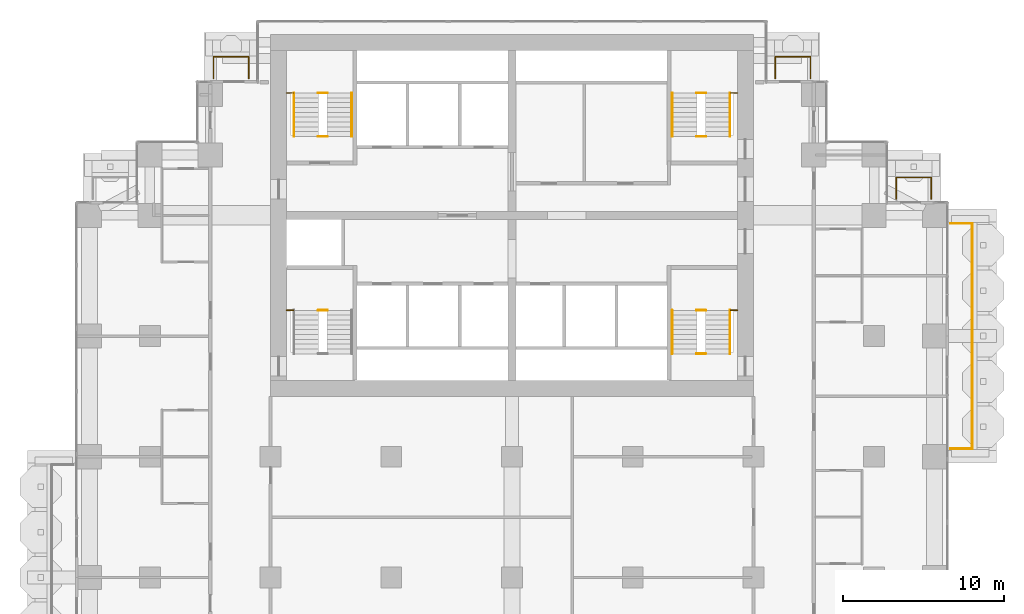
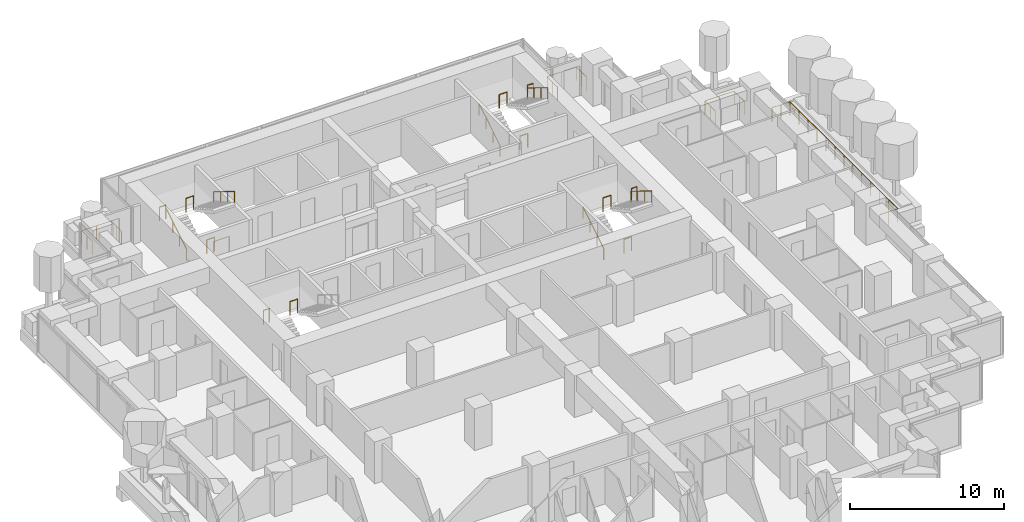
# One storey, part 19 of 20: 21 railings.
"""IFC4 building model written with IfcOpenShell, lengths in metres."""

from ifc_helpers import new_model, si_unit, direction, frame, origin, origin_2d, place, context, subcontext, project, spatial, circle, extrude, material, type_object, element, save


model = new_model("IFC4")

# Units and contexts
model_context = context("Model", 3, precision=1e-05, world=origin(), true_north=direction((0.0, 1.0)))
body_context = subcontext(model_context, "Body", "Model", "MODEL_VIEW")
ifc_project = project(units=[si_unit("LENGTHUNIT", "METRE"), si_unit("AREAUNIT", "SQUARE_METRE"), si_unit("VOLUMEUNIT", "CUBIC_METRE"), si_unit("PLANEANGLEUNIT", "RADIAN"), si_unit("MASSUNIT", "GRAM", prefix="KILO")], contexts=[model_context])

# Site, building, storey
site_placement = place(None, origin())
site = spatial("IfcSite", under=ifc_project, at=site_placement, CompositionType="ELEMENT")
building_placement = place(site_placement, origin())
building = spatial("IfcBuilding", under=site, at=building_placement, Name="Pilkhan Gate Tower", CompositionType="ELEMENT")
storey_placement = place(building_placement, frame((0.0, 0.0, 98.89990234375)))
storey = spatial("IfcBuildingStorey", under=building, at=storey_placement, Name="L24", CompositionType="ELEMENT", Elevation=98.89990234375)

# Railings
ifc_material_1 = material(Name="Pale anodised aluminium posts, laminated glass infill", Category="aluminium")
railing_type_1 = type_object("IfcRailingType", Name="Balcony guard G1", PredefinedType="BALUSTRADE", material=ifc_material_1)
railing_1_placement = place(storey_placement, frame((102.25, 68.0, 0.0)))
element("IfcRailing", 1, at=railing_1_placement, inside=storey, type_object=railing_type_1, Name="Balcony guard L24 E", PredefinedType="BALUSTRADE", context=body_context, shape_type="SweptSolid", body=[
    extrude(circle(Radius=0.02392578125, at=origin_2d()), frame((0.0, 0.0, 1.076171875), z_axis=(1.0, 0.0, 0.0), x_axis=(0.0, 1.0, 0.0)), (0.0, 0.0, 1.0), 1.35009765625),
    extrude(circle(Radius=0.02392578125, at=origin_2d()), frame((1.35009765625, 0.0, 1.076171875), z_axis=(0.0, 1.0, 0.0), x_axis=(-1.0, 0.0, 0.0)), (0.0, 0.0, 1.0), 14.0),
    extrude(circle(Radius=0.02392578125, at=origin_2d()), frame((1.35009765625, 14.0, 1.076171875), z_axis=(-1.0, 0.0, 0.0), x_axis=(0.0, -1.0, 0.0)), (0.0, 0.0, 1.0), 1.35009765625),
    extrude(circle(Radius=0.02099609375, at=origin_2d()), origin(), (0.0, 0.0, 1.0), 1.052001953125),
    extrude(circle(Radius=0.02099609375, at=origin_2d()), frame((0.675048828125, 0.0, 0.0)), (0.0, 0.0, 1.0), 1.052001953125),
    extrude(circle(Radius=0.02099609375, at=origin_2d()), frame((1.35009765625, 0.0, 0.0)), (0.0, 0.0, 1.0), 1.052001953125),
    extrude(circle(Radius=0.02099609375, at=origin_2d()), frame((1.35009765625, 1.166748046875, 0.0)), (0.0, 0.0, 1.0), 1.052001953125),
    extrude(circle(Radius=0.02099609375, at=origin_2d()), frame((1.35009765625, 2.333251953125, 0.0)), (0.0, 0.0, 1.0), 1.052001953125),
    extrude(circle(Radius=0.02099609375, at=origin_2d()), frame((1.35009765625, 3.5, 0.0)), (0.0, 0.0, 1.0), 1.052001953125),
    extrude(circle(Radius=0.02099609375, at=origin_2d()), frame((1.35009765625, 4.666748046875, 0.0)), (0.0, 0.0, 1.0), 1.052001953125),
    extrude(circle(Radius=0.02099609375, at=origin_2d()), frame((1.35009765625, 5.833251953125, 0.0)), (0.0, 0.0, 1.0), 1.052001953125),
    extrude(circle(Radius=0.02099609375, at=origin_2d()), frame((1.35009765625, 7.0, 0.0)), (0.0, 0.0, 1.0), 1.052001953125),
    extrude(circle(Radius=0.02099609375, at=origin_2d()), frame((1.35009765625, 8.166748046875, 0.0)), (0.0, 0.0, 1.0), 1.052001953125),
    extrude(circle(Radius=0.02099609375, at=origin_2d()), frame((1.35009765625, 9.333251953125, 0.0)), (0.0, 0.0, 1.0), 1.052001953125),
    extrude(circle(Radius=0.02099609375, at=origin_2d()), frame((1.35009765625, 10.5, 0.0)), (0.0, 0.0, 1.0), 1.052001953125),
    extrude(circle(Radius=0.02099609375, at=origin_2d()), frame((1.35009765625, 11.666748046875, 0.0)), (0.0, 0.0, 1.0), 1.052001953125),
    extrude(circle(Radius=0.02099609375, at=origin_2d()), frame((1.35009765625, 12.833251953125, 0.0)), (0.0, 0.0, 1.0), 1.052001953125),
    extrude(circle(Radius=0.02099609375, at=origin_2d()), frame((1.35009765625, 14.0, 0.0)), (0.0, 0.0, 1.0), 1.052001953125),
    extrude(circle(Radius=0.02099609375, at=origin_2d()), frame((0.675048828125, 14.0, 0.0)), (0.0, 0.0, 1.0), 1.052001953125),
    extrude(circle(Radius=0.02099609375, at=origin_2d()), frame((0.0, 14.0, 0.0)), (0.0, 0.0, 1.0), 1.052001953125),
])
for number, where, name in (
    (2, (56.449951171875, 91.0, 0.0), "Balcony guard L24 N"),
    (3, (91.35009765625, 91.0, 0.0), "Balcony guard L24 N"),
):
    element("IfcRailing", number, at=place(storey_placement, frame(where)), inside=storey, type_object=railing_type_1, Name=name, PredefinedType="BALUSTRADE", context=body_context, shape_type="SweptSolid", body=[
        extrude(circle(Radius=0.02392578125, at=origin_2d()), frame((0.0, 0.0, 1.076171875), z_axis=(0.0, 1.0, 0.0), x_axis=(-1.0, 0.0, 0.0)), (0.0, 0.0, 1.0), 1.35009765625),
        extrude(circle(Radius=0.02392578125, at=origin_2d()), frame((0.0, 1.35009765625, 1.076171875), z_axis=(1.0, 0.0, 0.0), x_axis=(0.0, 1.0, 0.0)), (0.0, 0.0, 1.0), 2.199951171875),
        extrude(circle(Radius=0.02392578125, at=origin_2d()), frame((2.199951171875, 1.35009765625, 1.076171875), z_axis=(0.0, -1.0, 0.0), x_axis=(1.0, 0.0, 0.0)), (0.0, 0.0, 1.0), 1.35009765625),
        extrude(circle(Radius=0.02099609375, at=origin_2d()), origin(), (0.0, 0.0, 1.0), 1.052001953125),
        extrude(circle(Radius=0.02099609375, at=origin_2d()), frame((0.0, 0.675048828125, 0.0)), (0.0, 0.0, 1.0), 1.052001953125),
        extrude(circle(Radius=0.02099609375, at=origin_2d()), frame((0.0, 1.35009765625, 0.0)), (0.0, 0.0, 1.0), 1.052001953125),
        extrude(circle(Radius=0.02099609375, at=origin_2d()), frame((1.10009765625, 1.35009765625, 0.0)), (0.0, 0.0, 1.0), 1.052001953125),
        extrude(circle(Radius=0.02099609375, at=origin_2d()), frame((2.199951171875, 1.35009765625, 0.0)), (0.0, 0.0, 1.0), 1.052001953125),
        extrude(circle(Radius=0.02099609375, at=origin_2d()), frame((2.199951171875, 0.675048828125, 0.0)), (0.0, 0.0, 1.0), 1.052001953125),
        extrude(circle(Radius=0.02099609375, at=origin_2d()), frame((2.199951171875, 0.0, 0.0)), (0.0, 0.0, 1.0), 1.052001953125),
    ])
railing_2_placement = place(storey_placement, frame((98.8701171875, 83.52001953125, 0.0)))
element("IfcRailing", 4, at=railing_2_placement, inside=storey, type_object=railing_type_1, Name="Balcony guard L24 N", PredefinedType="BALUSTRADE", context=body_context, shape_type="SweptSolid", body=[
    extrude(circle(Radius=0.02392578125, at=origin_2d()), frame((0.0, 0.0, 1.076171875), z_axis=(0.0, 1.0, 0.0), x_axis=(-1.0, 0.0, 0.0)), (0.0, 0.0, 1.0), 1.330078125),
    extrude(circle(Radius=0.02392578125, at=origin_2d()), frame((0.0, 1.330078125, 1.076171875), z_axis=(1.0, 0.0, 0.0), x_axis=(0.0, 1.0, 0.0)), (0.0, 0.0, 1.0), 2.179931640625),
    extrude(circle(Radius=0.02392578125, at=origin_2d()), frame((2.179931640625, 1.330078125, 1.076171875), z_axis=(0.0, -1.0, 0.0), x_axis=(1.0, 0.0, 0.0)), (0.0, 0.0, 1.0), 1.330078125),
    extrude(circle(Radius=0.02099609375, at=origin_2d()), origin(), (0.0, 0.0, 1.0), 1.052001953125),
    extrude(circle(Radius=0.02099609375, at=origin_2d()), frame((0.0, 0.6650390625, 0.0)), (0.0, 0.0, 1.0), 1.052001953125),
    extrude(circle(Radius=0.02099609375, at=origin_2d()), frame((0.0, 1.330078125, 0.0)), (0.0, 0.0, 1.0), 1.052001953125),
    extrude(circle(Radius=0.02099609375, at=origin_2d()), frame((1.08984375, 1.330078125, 0.0)), (0.0, 0.0, 1.0), 1.052001953125),
    extrude(circle(Radius=0.02099609375, at=origin_2d()), frame((2.179931640625, 1.330078125, 0.0)), (0.0, 0.0, 1.0), 1.052001953125),
    extrude(circle(Radius=0.02099609375, at=origin_2d()), frame((2.179931640625, 0.6650390625, 0.0)), (0.0, 0.0, 1.0), 1.052001953125),
    extrude(circle(Radius=0.02099609375, at=origin_2d()), frame((2.179931640625, 0.0, 0.0)), (0.0, 0.0, 1.0), 1.052001953125),
])
ifc_material_2 = material(Name="Black powder-coated steel tube", Category="steel")
railing_type_2 = type_object("IfcRailingType", Name="Stair handrail HR1", PredefinedType="HANDRAIL", material=ifc_material_2)
railing_3_placement = place(storey_placement, frame((84.949951171875, 73.89990234375, 0.0)))
element("IfcRailing", 5, at=railing_3_placement, inside=storey, type_object=railing_type_2, Name="Stair ST1 handrail L24", PredefinedType="HANDRAIL", context=body_context, shape_type="SweptSolid", body=[
    extrude(circle(Radius=0.02392578125, at=origin_2d()), frame((0.0, 0.0, 0.8759765625), z_axis=(0.0, 0.853278019476, 0.521456250781), x_axis=(-1.0, 0.0, 0.0)), (0.0, 0.0, 1.0), 3.16455078125),
    extrude(circle(Radius=0.02099609375, at=origin_2d()), origin(), (0.0, 0.0, 1.0), 0.851806640625),
    extrude(circle(Radius=0.02099609375, at=origin_2d()), frame((0.0, 0.900146484375, 0.550048828125)), (0.0, 0.0, 1.0), 0.851806640625),
    extrude(circle(Radius=0.02099609375, at=origin_2d()), frame((0.0, 1.800048828125, 1.10009765625)), (0.0, 0.0, 1.0), 0.851806640625),
    extrude(circle(Radius=0.02099609375, at=origin_2d()), frame((0.0, 2.7001953125, 1.650146484375)), (0.0, 0.0, 1.0), 0.851806640625),
])
railing_4_placement = place(storey_placement, frame((88.550048828125, 76.60009765625, 1.650146484375)))
element("IfcRailing", 6, at=railing_4_placement, inside=storey, type_object=railing_type_2, Name="Stair ST1 handrail L24", PredefinedType="HANDRAIL", context=body_context, shape_type="SweptSolid", body=[
    extrude(circle(Radius=0.02392578125, at=origin_2d()), frame((0.0, 0.0, 0.8759765625), z_axis=(0.0, -0.853312346642, 0.521400075823), x_axis=(1.0, 0.0, 0.0)), (0.0, 0.0, 1.0), 3.164306640625),
    extrude(circle(Radius=0.02099609375, at=origin_2d()), origin(), (0.0, 0.0, 1.0), 0.851806640625),
    extrude(circle(Radius=0.02099609375, at=origin_2d()), frame((0.0, -0.900146484375, 0.550048828125)), (0.0, 0.0, 1.0), 0.851806640625),
    extrude(circle(Radius=0.02099609375, at=origin_2d()), frame((0.0, -1.800048828125, 1.099853515625)), (0.0, 0.0, 1.0), 0.851806640625),
    extrude(circle(Radius=0.02099609375, at=origin_2d()), frame((0.0, -2.7001953125, 1.64990234375)), (0.0, 0.0, 1.0), 0.851806640625),
])
railing_5_placement = place(storey_placement, frame((61.449951171875, 87.39990234375, 0.0)))
element("IfcRailing", 7, at=railing_5_placement, inside=storey, type_object=railing_type_2, Name="Stair ST3 handrail L24", PredefinedType="HANDRAIL", context=body_context, shape_type="SweptSolid", body=[
    extrude(circle(Radius=0.02392578125, at=origin_2d()), frame((0.0, 0.0, 0.8759765625), z_axis=(0.0, 0.853278019476, 0.521456250781), x_axis=(-1.0, 0.0, 0.0)), (0.0, 0.0, 1.0), 3.16455078125),
    extrude(circle(Radius=0.02099609375, at=origin_2d()), origin(), (0.0, 0.0, 1.0), 0.851806640625),
    extrude(circle(Radius=0.02099609375, at=origin_2d()), frame((0.0, 0.900146484375, 0.550048828125)), (0.0, 0.0, 1.0), 0.851806640625),
    extrude(circle(Radius=0.02099609375, at=origin_2d()), frame((0.0, 1.800048828125, 1.10009765625)), (0.0, 0.0, 1.0), 0.851806640625),
    extrude(circle(Radius=0.02099609375, at=origin_2d()), frame((0.0, 2.7001953125, 1.650146484375)), (0.0, 0.0, 1.0), 0.851806640625),
])
railing_6_placement = place(storey_placement, frame((65.050048828125, 90.10009765625, 1.650146484375)))
element("IfcRailing", 8, at=railing_6_placement, inside=storey, type_object=railing_type_2, Name="Stair ST3 handrail L24", PredefinedType="HANDRAIL", context=body_context, shape_type="SweptSolid", body=[
    extrude(circle(Radius=0.02392578125, at=origin_2d()), frame((0.0, 0.0, 0.8759765625), z_axis=(0.0, -0.853312346642, 0.521400075823), x_axis=(1.0, 0.0, 0.0)), (0.0, 0.0, 1.0), 3.164306640625),
    extrude(circle(Radius=0.02099609375, at=origin_2d()), origin(), (0.0, 0.0, 1.0), 0.851806640625),
    extrude(circle(Radius=0.02099609375, at=origin_2d()), frame((0.0, -0.900146484375, 0.550048828125)), (0.0, 0.0, 1.0), 0.851806640625),
    extrude(circle(Radius=0.02099609375, at=origin_2d()), frame((0.0, -1.800048828125, 1.099853515625)), (0.0, 0.0, 1.0), 0.851806640625),
    extrude(circle(Radius=0.02099609375, at=origin_2d()), frame((0.0, -2.7001953125, 1.64990234375)), (0.0, 0.0, 1.0), 0.851806640625),
])
railing_7_placement = place(storey_placement, frame((84.949951171875, 87.39990234375, 0.0)))
element("IfcRailing", 9, at=railing_7_placement, inside=storey, type_object=railing_type_2, Name="Stair ST4 handrail L24", PredefinedType="HANDRAIL", context=body_context, shape_type="SweptSolid", body=[
    extrude(circle(Radius=0.02392578125, at=origin_2d()), frame((0.0, 0.0, 0.8759765625), z_axis=(0.0, 0.853278019476, 0.521456250781), x_axis=(-1.0, 0.0, 0.0)), (0.0, 0.0, 1.0), 3.16455078125),
    extrude(circle(Radius=0.02099609375, at=origin_2d()), origin(), (0.0, 0.0, 1.0), 0.851806640625),
    extrude(circle(Radius=0.02099609375, at=origin_2d()), frame((0.0, 0.900146484375, 0.550048828125)), (0.0, 0.0, 1.0), 0.851806640625),
    extrude(circle(Radius=0.02099609375, at=origin_2d()), frame((0.0, 1.800048828125, 1.10009765625)), (0.0, 0.0, 1.0), 0.851806640625),
    extrude(circle(Radius=0.02099609375, at=origin_2d()), frame((0.0, 2.7001953125, 1.650146484375)), (0.0, 0.0, 1.0), 0.851806640625),
])
railing_8_placement = place(storey_placement, frame((88.550048828125, 90.10009765625, 1.650146484375)))
element("IfcRailing", 10, at=railing_8_placement, inside=storey, type_object=railing_type_2, Name="Stair ST4 handrail L24", PredefinedType="HANDRAIL", context=body_context, shape_type="SweptSolid", body=[
    extrude(circle(Radius=0.02392578125, at=origin_2d()), frame((0.0, 0.0, 0.8759765625), z_axis=(0.0, -0.853312346642, 0.521400075823), x_axis=(1.0, 0.0, 0.0)), (0.0, 0.0, 1.0), 3.164306640625),
    extrude(circle(Radius=0.02099609375, at=origin_2d()), origin(), (0.0, 0.0, 1.0), 0.851806640625),
    extrude(circle(Radius=0.02099609375, at=origin_2d()), frame((0.0, -0.900146484375, 0.550048828125)), (0.0, 0.0, 1.0), 0.851806640625),
    extrude(circle(Radius=0.02099609375, at=origin_2d()), frame((0.0, -1.800048828125, 1.099853515625)), (0.0, 0.0, 1.0), 0.851806640625),
    extrude(circle(Radius=0.02099609375, at=origin_2d()), frame((0.0, -2.7001953125, 1.64990234375)), (0.0, 0.0, 1.0), 0.851806640625),
])
ifc_material_3 = material(Name="Black powder-coated steel balusters", Category="steel")
railing_type_3 = type_object("IfcRailingType", Name="Stair well guard G3", PredefinedType="GUARDRAIL", material=ifc_material_3)
railing_9_placement = place(storey_placement, frame((88.580078125, 76.60009765625, 1.650146484375)))
element("IfcRailing", 11, at=railing_9_placement, inside=storey, type_object=railing_type_3, Name="Stair ST1 well guard L24", PredefinedType="GUARDRAIL", context=body_context, shape_type="SweptSolid", body=[
    extrude(circle(Radius=0.02392578125, at=origin_2d()), frame((0.0, 0.0, 1.076171875), z_axis=(1.0, 0.0, 0.0), x_axis=(0.0, 1.0, 0.0)), (0.0, 0.0, 1.0), 0.43994140625),
    extrude(circle(Radius=0.02099609375, at=origin_2d()), origin(), (0.0, 0.0, 1.0), 1.052001953125),
    extrude(circle(Radius=0.02099609375, at=origin_2d()), frame((0.43994140625, 0.0, 0.0)), (0.0, 0.0, 1.0), 1.052001953125),
])
for number, where, name in (
    (12, (86.4599609375, 73.89990234375, 0.0), "Stair ST1 well guard L24"),
    (13, (86.4599609375, 76.60009765625, 1.650146484375), "Stair ST1 well guard L24"),
):
    element("IfcRailing", number, at=place(storey_placement, frame(where)), inside=storey, type_object=railing_type_3, Name=name, PredefinedType="GUARDRAIL", context=body_context, shape_type="SweptSolid", body=[
        extrude(circle(Radius=0.02392578125, at=origin_2d()), frame((0.0, 0.0, 1.076171875), z_axis=(1.0, 0.0, 0.0), x_axis=(0.0, 1.0, 0.0)), (0.0, 0.0, 1.0), 0.580078125),
        extrude(circle(Radius=0.02099609375, at=origin_2d()), origin(), (0.0, 0.0, 1.0), 1.052001953125),
        extrude(circle(Radius=0.02099609375, at=origin_2d()), frame((0.580078125, 0.0, 0.0)), (0.0, 0.0, 1.0), 1.052001953125),
    ])
railing_10_placement = place(storey_placement, frame((60.97998046875, 76.60009765625, 1.650146484375)))
element("IfcRailing", 14, at=railing_10_placement, inside=storey, type_object=railing_type_3, Name="Stair ST2 well guard L24", PredefinedType="GUARDRAIL", context=body_context, shape_type="SweptSolid", body=[
    extrude(circle(Radius=0.02392578125, at=origin_2d()), frame((0.0, 0.0, 1.076171875), z_axis=(1.0, 0.0, 0.0), x_axis=(0.0, 1.0, 0.0)), (0.0, 0.0, 1.0), 0.43994140625),
    extrude(circle(Radius=0.02099609375, at=origin_2d()), origin(), (0.0, 0.0, 1.0), 1.052001953125),
    extrude(circle(Radius=0.02099609375, at=origin_2d()), frame((0.43994140625, 0.0, 0.0)), (0.0, 0.0, 1.0), 1.052001953125),
])
railing_11_placement = place(storey_placement, frame((62.9599609375, 76.60009765625, 1.650146484375)))
element("IfcRailing", 15, at=railing_11_placement, inside=storey, type_object=railing_type_3, Name="Stair ST2 well guard L24", PredefinedType="GUARDRAIL", context=body_context, shape_type="SweptSolid", body=[
    extrude(circle(Radius=0.02392578125, at=origin_2d()), frame((0.0, 0.0, 1.076171875), z_axis=(1.0, 0.0, 0.0), x_axis=(0.0, 1.0, 0.0)), (0.0, 0.0, 1.0), 0.580078125),
    extrude(circle(Radius=0.02099609375, at=origin_2d()), origin(), (0.0, 0.0, 1.0), 1.052001953125),
    extrude(circle(Radius=0.02099609375, at=origin_2d()), frame((0.580078125, 0.0, 0.0)), (0.0, 0.0, 1.0), 1.052001953125),
])
railing_12_placement = place(storey_placement, frame((60.97998046875, 90.10009765625, 1.650146484375)))
element("IfcRailing", 16, at=railing_12_placement, inside=storey, type_object=railing_type_3, Name="Stair ST3 well guard L24", PredefinedType="GUARDRAIL", context=body_context, shape_type="SweptSolid", body=[
    extrude(circle(Radius=0.02392578125, at=origin_2d()), frame((0.0, 0.0, 1.076171875), z_axis=(1.0, 0.0, 0.0), x_axis=(0.0, 1.0, 0.0)), (0.0, 0.0, 1.0), 0.43994140625),
    extrude(circle(Radius=0.02099609375, at=origin_2d()), origin(), (0.0, 0.0, 1.0), 1.052001953125),
    extrude(circle(Radius=0.02099609375, at=origin_2d()), frame((0.43994140625, 0.0, 0.0)), (0.0, 0.0, 1.0), 1.052001953125),
])
for number, where, name in (
    (17, (62.9599609375, 87.39990234375, 0.0), "Stair ST3 well guard L24"),
    (18, (62.9599609375, 90.10009765625, 1.650146484375), "Stair ST3 well guard L24"),
):
    element("IfcRailing", number, at=place(storey_placement, frame(where)), inside=storey, type_object=railing_type_3, Name=name, PredefinedType="GUARDRAIL", context=body_context, shape_type="SweptSolid", body=[
        extrude(circle(Radius=0.02392578125, at=origin_2d()), frame((0.0, 0.0, 1.076171875), z_axis=(1.0, 0.0, 0.0), x_axis=(0.0, 1.0, 0.0)), (0.0, 0.0, 1.0), 0.580078125),
        extrude(circle(Radius=0.02099609375, at=origin_2d()), origin(), (0.0, 0.0, 1.0), 1.052001953125),
        extrude(circle(Radius=0.02099609375, at=origin_2d()), frame((0.580078125, 0.0, 0.0)), (0.0, 0.0, 1.0), 1.052001953125),
    ])
railing_13_placement = place(storey_placement, frame((88.580078125, 90.10009765625, 1.650146484375)))
element("IfcRailing", 19, at=railing_13_placement, inside=storey, type_object=railing_type_3, Name="Stair ST4 well guard L24", PredefinedType="GUARDRAIL", context=body_context, shape_type="SweptSolid", body=[
    extrude(circle(Radius=0.02392578125, at=origin_2d()), frame((0.0, 0.0, 1.076171875), z_axis=(1.0, 0.0, 0.0), x_axis=(0.0, 1.0, 0.0)), (0.0, 0.0, 1.0), 0.43994140625),
    extrude(circle(Radius=0.02099609375, at=origin_2d()), origin(), (0.0, 0.0, 1.0), 1.052001953125),
    extrude(circle(Radius=0.02099609375, at=origin_2d()), frame((0.43994140625, 0.0, 0.0)), (0.0, 0.0, 1.0), 1.052001953125),
])
for number, where, name in (
    (20, (86.4599609375, 87.39990234375, 0.0), "Stair ST4 well guard L24"),
    (21, (86.4599609375, 90.10009765625, 1.650146484375), "Stair ST4 well guard L24"),
):
    element("IfcRailing", number, at=place(storey_placement, frame(where)), inside=storey, type_object=railing_type_3, Name=name, PredefinedType="GUARDRAIL", context=body_context, shape_type="SweptSolid", body=[
        extrude(circle(Radius=0.02392578125, at=origin_2d()), frame((0.0, 0.0, 1.076171875), z_axis=(1.0, 0.0, 0.0), x_axis=(0.0, 1.0, 0.0)), (0.0, 0.0, 1.0), 0.580078125),
        extrude(circle(Radius=0.02099609375, at=origin_2d()), origin(), (0.0, 0.0, 1.0), 1.052001953125),
        extrude(circle(Radius=0.02099609375, at=origin_2d()), frame((0.580078125, 0.0, 0.0)), (0.0, 0.0, 1.0), 1.052001953125),
    ])

save(model, "model.ifc")
